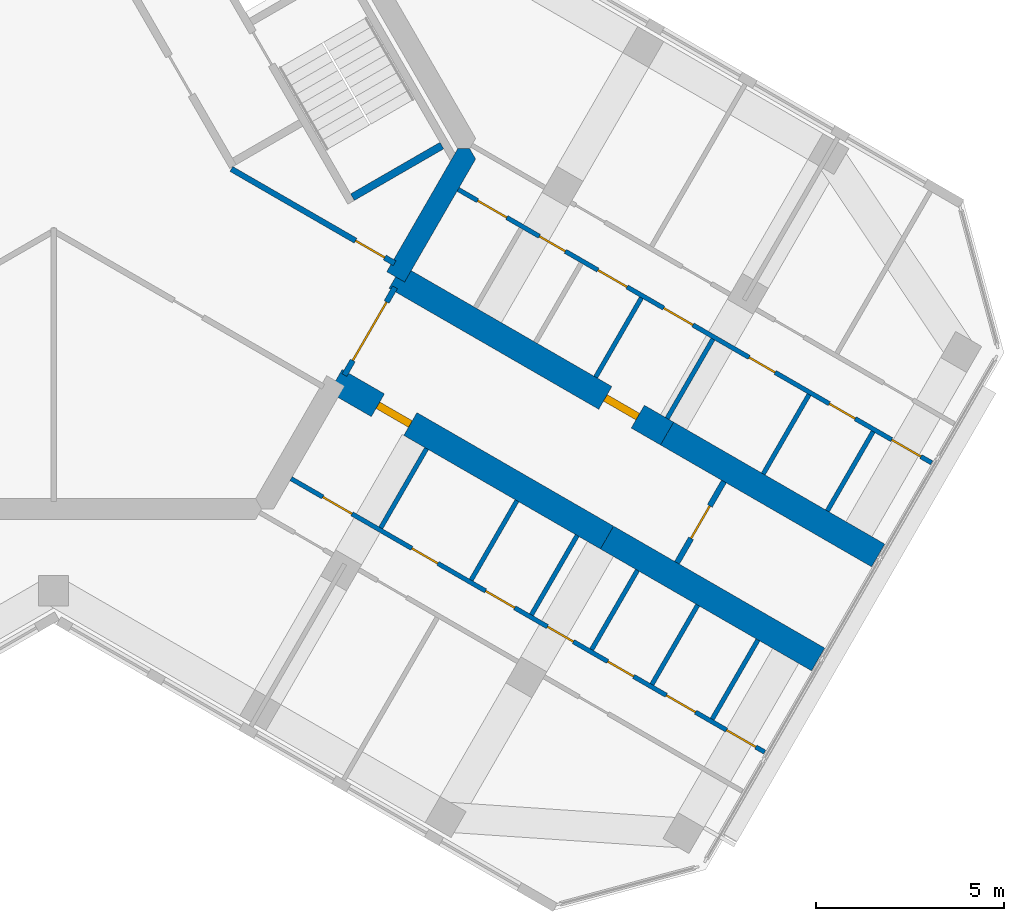
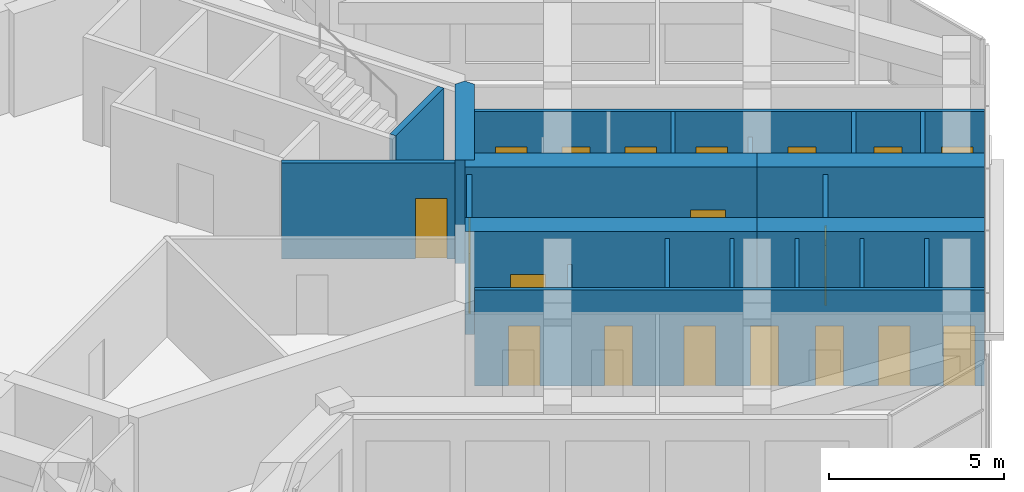
# One storey, part 10 of 14: 21 walls, 19 doors, 19 openings.
"""IFC4 building model written with IfcOpenShell, lengths in metres."""

from ifc_helpers import new_model, si_unit, direction, frame, frame_2d, origin, place, context, subcontext, project, spatial, polyline, rectangle, outline, extrude, material, layer, layer_set, type_object, element, fill, save


model = new_model("IFC4")

# Units and contexts
model_context = context("Model", 3, precision=1e-05, world=origin(), true_north=direction((0.0, 1.0)))
body_context = subcontext(model_context, "Body", "Model", "MODEL_VIEW")
ifc_project = project(units=[si_unit("LENGTHUNIT", "METRE"), si_unit("AREAUNIT", "SQUARE_METRE"), si_unit("VOLUMEUNIT", "CUBIC_METRE"), si_unit("PLANEANGLEUNIT", "RADIAN"), si_unit("MASSUNIT", "GRAM", prefix="KILO")], contexts=[model_context])

# Site, building, storey
site_placement = place(None, origin())
site = spatial("IfcSite", under=ifc_project, at=site_placement, CompositionType="ELEMENT")
building_placement = place(site_placement, origin())
building = spatial("IfcBuilding", under=site, at=building_placement, Name="Kosmar Iwan School Tower", CompositionType="ELEMENT")
storey_placement = place(building_placement, frame((0.0, 0.0, 281.800048828125)))
storey = spatial("IfcBuildingStorey", under=building, at=storey_placement, Name="L71", CompositionType="ELEMENT", Elevation=281.800048828125)

# Wall, opening, door
ifc_material_1 = material(Name="Gypsum board on steel studs, fire-rated", Category="steel")
ifc_layer_1 = layer(ifc_material_1, 0.14990234375)
ifc_layer_set_1 = layer_set([ifc_layer_1], Name="Core room partition 150")
wall_type_1 = type_object("IfcWallType", Name="Core room partition 150", PredefinedType="PARTITIONING", material=ifc_layer_set_1)
wall_1_placement = place(storey_placement, frame((9.08642578125, -3.052001953125, 0.0), z_axis=(0.0, 0.0, 1.0), x_axis=(-0.866027799164, 0.499995851058, 0.0)))
wall_1 = element("IfcWall", 1, at=wall_1_placement, inside=storey, type_object=wall_type_1, Name="Core room partition L71-CW8", PredefinedType="PARTITIONING", context=body_context, shape_type="SweptSolid", body=[
    extrude(rectangle(XDim=5.0244140625, YDim=0.14990234375, at=frame_2d((2.51220703125, 0.0))), origin(), (0.0, 0.0, 1.0), 3.349853515625),
])
opening_1_placement = place(wall_1_placement, frame((0.304931640625, 0.0, 0.0)))
opening_1 = element("IfcOpeningElement", 2, at=opening_1_placement, cuts=wall_1, Name="Opening D14", PredefinedType="OPENING", context=body_context, shape_type="SweptSolid", body=[
    extrude(rectangle(XDim=0.89990234375, YDim=2.10009765625, at=frame_2d((0.449951171875, 1.050048828125))), frame((0.0, 0.0869140625, 0.0), z_axis=(0.0, -1.0, 0.0), x_axis=(1.0, 0.0, 0.0)), (0.0, 0.0, 1.0), 0.173828125),
])
ifc_material_2 = material(Name="Timber fire door in steel frame", Category="steel")
door_type_1 = type_object("IfcDoorType", Name="Core room door 900x2100", OperationType="SINGLE_SWING_LEFT", PredefinedType="DOOR", material=ifc_material_2)
door_1_placement = place(opening_1_placement, origin())
door_1 = element("IfcDoor", 3, at=door_1_placement, inside=storey, type_object=door_type_1, Name="Cleaner's store door L71 5", OperationType="SINGLE_SWING_LEFT", OverallHeight=2.10009765625, OverallWidth=0.89990234375, PredefinedType="DOOR", context=body_context, shape_type="SweptSolid", body=[
    extrude(rectangle(XDim=0.89990234375, YDim=2.10009765625, at=frame_2d((0.449951171875, 1.050048828125))), frame((0.0, 0.02490234375, 0.0), z_axis=(0.0, -1.0, 0.0), x_axis=(1.0, 0.0, 0.0)), (0.0, 0.0, 1.0), 0.050048828125),
])
fill(opening_1, door_1)

# Wall
ifc_material_3 = material(Name="Concrete C50/60", Category="concrete")
ifc_layer_2 = layer(ifc_material_3, 0.550048828125)
ifc_layer_set_2 = layer_set([ifc_layer_2], Name="Core wall 550")
wall_type_2 = type_object("IfcWallType", Name="Core wall 550", PredefinedType="SHEAR", material=ifc_layer_set_2)
wall_2_placement = place(storey_placement, origin())
element("IfcWall", 4, at=wall_2_placement, inside=storey, type_object=wall_type_2, Name="Core wall F330b", PredefinedType="SHEAR", context=body_context, shape_type="SweptSolid", body=[
    extrude(outline(polyline([(9.35205078125, -3.5517578125), (11.243896484375, -0.27490234375), (11.085205078125, 0.0), (10.767578125, 0.0), (8.875732421875, -3.27685546875), (9.35205078125, -3.5517578125)])), origin(), (0.0, 0.0, 1.0), 3.599853515625),
])

# Wall, opening, door
ifc_material_4 = material(Name="Concrete C50/60", Category="concrete")
ifc_layer_3 = layer(ifc_material_4, 0.699951171875)
ifc_layer_set_3 = layer_set([ifc_layer_3], Name="Corridor buttress wall 700")
wall_type_3 = type_object("IfcWallType", Name="Corridor buttress wall 700", PredefinedType="SHEAR", material=ifc_layer_set_3)
wall_3_placement = place(storey_placement, frame((9.11376953125, -3.414306640625, 0.0), z_axis=(0.0, 0.0, 1.0), x_axis=(0.866026859388, -0.499997478812, 0.0)))
wall_3 = element("IfcWall", 5, at=wall_3_placement, inside=storey, type_object=wall_type_3, Name="Corridor wall CL", PredefinedType="SHEAR", context=body_context, shape_type="SweptSolid", body=[
    extrude(rectangle(XDim=8.35009765625, YDim=0.699951171875, at=frame_2d((4.175048828125, 0.0))), origin(), (0.0, 0.0, 1.0), 3.599853515625),
])
opening_2_placement = place(wall_3_placement, frame((6.449951171875, 0.0, 0.0)))
opening_2 = element("IfcOpeningElement", 6, at=opening_2_placement, cuts=wall_3, Name="Opening D1", PredefinedType="OPENING", context=body_context, shape_type="SweptSolid", body=[
    extrude(rectangle(XDim=1.0, YDim=2.10009765625, at=frame_2d((0.5, 1.050048828125))), frame((0.0, 0.362060546875, 0.0), z_axis=(0.0, -1.0, 0.0), x_axis=(1.0, 0.0, 0.0)), (0.0, 0.0, 1.0), 0.723876953125),
])
ifc_material_5 = material(Name="Timber fire door in steel frame", Category="steel")
door_type_2 = type_object("IfcDoorType", Name="Flat entrance door 1000x2100", OperationType="SINGLE_SWING_LEFT", PredefinedType="DOOR", material=ifc_material_5)
door_2_placement = place(opening_2_placement, origin())
door_2 = element("IfcDoor", 7, at=door_2_placement, inside=storey, type_object=door_type_2, Name="Flat L71-CL1 entrance door", OperationType="SINGLE_SWING_LEFT", OverallHeight=2.10009765625, OverallWidth=1.0, PredefinedType="DOOR", context=body_context, shape_type="SweptSolid", body=[
    extrude(rectangle(XDim=1.0, YDim=2.10009765625, at=frame_2d((0.5, 1.050048828125))), frame((0.0, 0.10009765625, 0.0), z_axis=(0.0, -1.0, 0.0), x_axis=(1.0, 0.0, 0.0)), (0.0, 0.0, 1.0), 0.199951171875),
])
fill(opening_2, door_2)

# Wall
wall_4_placement = place(storey_placement, frame((16.34521484375, -7.58935546875, 0.0), z_axis=(0.0, 0.0, 1.0), x_axis=(0.866018451174, -0.500012042081, 0.0)))
element("IfcWall", 8, at=wall_4_placement, inside=storey, type_object=wall_type_3, Name="Corridor wall CL bay 2", PredefinedType="SHEAR", context=body_context, shape_type="SweptSolid", body=[
    extrude(rectangle(XDim=6.494873046875, YDim=0.699951171875, at=frame_2d((3.24755859375, 0.0))), origin(), (0.0, 0.0, 1.0), 3.599853515625),
])

# Wall, opening, door
wall_5_placement = place(storey_placement, frame((7.513916015625, -6.185546875, 0.0), z_axis=(0.0, 0.0, 1.0), x_axis=(0.866019549707, -0.500010139422, 0.0)))
wall_5 = element("IfcWall", 9, at=wall_5_placement, inside=storey, type_object=wall_type_3, Name="Corridor wall CR", PredefinedType="SHEAR", context=body_context, shape_type="SweptSolid", body=[
    extrude(rectangle(XDim=8.349853515625, YDim=0.699951171875, at=frame_2d((4.1748046875, 0.0))), origin(), (0.0, 0.0, 1.0), 3.599853515625),
])
opening_3_placement = place(wall_5_placement, frame((1.300048828125, 0.0, 0.0)))
opening_3 = element("IfcOpeningElement", 10, at=opening_3_placement, cuts=wall_5, Name="Opening D1", PredefinedType="OPENING", context=body_context, shape_type="SweptSolid", body=[
    extrude(rectangle(XDim=1.0, YDim=2.10009765625, at=frame_2d((0.5, 1.050048828125))), frame((0.0, 0.362060546875, 0.0), z_axis=(0.0, -1.0, 0.0), x_axis=(1.0, 0.0, 0.0)), (0.0, 0.0, 1.0), 0.723876953125),
])
door_3_placement = place(opening_3_placement, origin())
door_3 = element("IfcDoor", 11, at=door_3_placement, inside=storey, type_object=door_type_2, Name="Flat L71-CR1 entrance door", OperationType="SINGLE_SWING_LEFT", OverallHeight=2.10009765625, OverallWidth=1.0, PredefinedType="DOOR", context=body_context, shape_type="SweptSolid", body=[
    extrude(rectangle(XDim=1.0, YDim=2.10009765625, at=frame_2d((0.5, 1.050048828125))), frame((0.0, 0.10009765625, 0.0), z_axis=(0.0, -1.0, 0.0), x_axis=(1.0, 0.0, 0.0)), (0.0, 0.0, 1.0), 0.199951171875),
])
fill(opening_3, door_3)

# Wall
wall_6_placement = place(storey_placement, frame((14.7451171875, -10.360595703125, 0.0), z_axis=(0.0, 0.0, 1.0), x_axis=(0.866027848477, -0.499995765644, 0.0)))
element("IfcWall", 12, at=wall_6_placement, inside=storey, type_object=wall_type_3, Name="Corridor wall CR bay 2", PredefinedType="SHEAR", context=body_context, shape_type="SweptSolid", body=[
    extrude(rectangle(XDim=6.4951171875, YDim=0.699951171875, at=frame_2d((3.24755859375, 0.0))), origin(), (0.0, 0.0, 1.0), 3.599853515625),
])

# Wall, opening, door
ifc_material_6 = material(Name="Gypsum board on steel studs, fire-rated", Category="steel")
ifc_layer_4 = layer(ifc_material_6, 0.14990234375)
ifc_layer_set_4 = layer_set([ifc_layer_4], Name="Corridor end wall 150")
wall_type_4 = type_object("IfcWallType", Name="Corridor end wall 150", PredefinedType="PARTITIONING", material=ifc_layer_set_4)
wall_7_placement = place(storey_placement, frame((16.60888671875, -11.032470703125, 0.0), z_axis=(0.0, 0.0, 1.0), x_axis=(0.500004234368, 0.866022959057, 0.0)))
wall_7 = element("IfcWall", 13, at=wall_7_placement, inside=storey, type_object=wall_type_4, Name="Partition L71-C-CE", PredefinedType="PARTITIONING", context=body_context, shape_type="SweptSolid", body=[
    extrude(rectangle(XDim=2.5, YDim=0.14990234375, at=frame_2d((1.25, 0.0))), origin(), (0.0, 0.0, 1.0), 3.349853515625),
])
opening_4_placement = place(wall_7_placement, frame((0.75, 0.0, 0.0)))
opening_4 = element("IfcOpeningElement", 14, at=opening_4_placement, cuts=wall_7, Name="Opening D13", PredefinedType="OPENING", context=body_context, shape_type="SweptSolid", body=[
    extrude(rectangle(XDim=1.0, YDim=2.10009765625, at=frame_2d((0.5, 1.050048828125))), frame((0.0, 0.0869140625, 0.0), z_axis=(0.0, -1.0, 0.0), x_axis=(1.0, 0.0, 0.0)), (0.0, 0.0, 1.0), 0.173828125),
])
ifc_material_7 = material(Name="Timber fire door with vision panel", Category="wood")
door_type_3 = type_object("IfcDoorType", Name="Corridor end door 1000x2100", OperationType="SINGLE_SWING_LEFT", PredefinedType="DOOR", material=ifc_material_7)
door_4_placement = place(opening_4_placement, origin())
door_4 = element("IfcDoor", 15, at=door_4_placement, inside=storey, type_object=door_type_3, Name="Reading room door L71-C", OperationType="SINGLE_SWING_RIGHT", OverallHeight=2.10009765625, OverallWidth=1.0, PredefinedType="DOOR", context=body_context, shape_type="SweptSolid", body=[
    extrude(rectangle(XDim=1.0, YDim=2.10009765625, at=frame_2d((0.5, 1.050048828125))), frame((0.0, 0.02490234375, 0.0), z_axis=(0.0, -1.0, 0.0), x_axis=(1.0, 0.0, 0.0)), (0.0, 0.0, 1.0), 0.050048828125),
])
fill(opening_4, door_4)

ifc_material_8 = material(Name="Steel framed glazed screen", Category="steel")
ifc_layer_5 = layer(ifc_material_8, 0.14990234375)
ifc_layer_set_5 = layer_set([ifc_layer_5], Name="Corridor screen wall 150")
wall_type_5 = type_object("IfcWallType", Name="Corridor screen wall 150", PredefinedType="PARTITIONING", material=ifc_layer_set_5)
wall_8_placement = place(storey_placement, frame((7.7470703125, -6.03173828125, 0.0), z_axis=(0.0, 0.0, 1.0), x_axis=(0.50000943426, 0.866019956843, 0.0)))
wall_8 = element("IfcWall", 16, at=wall_8_placement, inside=storey, type_object=wall_type_5, Name="Corridor screen C L71", PredefinedType="PARTITIONING", context=body_context, shape_type="SweptSolid", body=[
    extrude(rectangle(XDim=2.7001953125, YDim=0.14990234375, at=frame_2d((1.35009765625, 0.0))), origin(), (0.0, 0.0, 1.0), 3.349853515625),
])
opening_5_placement = place(wall_8_placement, frame((0.449951171875, 0.0, 0.0)))
opening_5 = element("IfcOpeningElement", 17, at=opening_5_placement, cuts=wall_8, Name="Opening D9", PredefinedType="OPENING", context=body_context, shape_type="SweptSolid", body=[
    extrude(rectangle(XDim=1.800048828125, YDim=2.10009765625, at=frame_2d((0.89990234375, 1.050048828125))), frame((0.0, 0.0869140625, 0.0), z_axis=(0.0, -1.0, 0.0), x_axis=(1.0, 0.0, 0.0)), (0.0, 0.0, 1.0), 0.173828125),
])
ifc_material_9 = material(Name="Steel framed glazed smoke door", Category="steel")
door_type_4 = type_object("IfcDoorType", Name="Corridor smoke door pair 1800x2100", OperationType="DOUBLE_DOOR_DOUBLE_SWING", PredefinedType="DOOR", material=ifc_material_9)
door_5_placement = place(opening_5_placement, origin())
door_5 = element("IfcDoor", 18, at=door_5_placement, inside=storey, type_object=door_type_4, Name="Corridor doors C L71", OperationType="DOUBLE_DOOR_DOUBLE_SWING", OverallHeight=2.10009765625, OverallWidth=1.800048828125, PredefinedType="DOOR", context=body_context, shape_type="SweptSolid", body=[
    extrude(rectangle(XDim=1.800048828125, YDim=2.10009765625, at=frame_2d((0.89990234375, 1.050048828125))), frame((0.0, 0.02490234375, 0.0), z_axis=(0.0, -1.0, 0.0), x_axis=(1.0, 0.0, 0.0)), (0.0, 0.0, 1.0), 0.050048828125),
])
fill(opening_5, door_5)

# Wall, openings, doors
ifc_material_10 = material(Name="Gypsum board on steel studs", Category="steel")
ifc_layer_6 = layer(ifc_material_10, 0.1201171875)
ifc_layer_set_6 = layer_set([ifc_layer_6], Name="Dwelling partition 120")
wall_type_6 = type_object("IfcWallType", Name="Dwelling partition 120", PredefinedType="PARTITIONING", material=ifc_layer_set_6)
wall_9_placement = place(storey_placement, frame((10.777099609375, -1.083740234375, 0.0), z_axis=(0.0, 0.0, 1.0), x_axis=(0.866026811131, -0.499997562396, 0.0)))
wall_9 = element("IfcWall", 19, at=wall_9_placement, inside=storey, type_object=wall_type_6, Name="Partition L71-CL1-W1", PredefinedType="PARTITIONING", context=body_context, shape_type="SweptSolid", body=[
    extrude(rectangle(XDim=14.56982421875, YDim=0.1201171875, at=frame_2d((7.284912109375, 0.0))), origin(), (0.0, 0.0, 1.0), 3.349853515625),
])
opening_6_placement = place(wall_9_placement, frame((0.60009765625, 0.0, 0.0)))
opening_6 = element("IfcOpeningElement", 20, at=opening_6_placement, cuts=wall_9, Name="Opening D2", PredefinedType="OPENING", context=body_context, shape_type="SweptSolid", body=[
    extrude(rectangle(XDim=0.89990234375, YDim=2.10009765625, at=frame_2d((0.449951171875, 1.050048828125))), frame((0.0, 0.072021484375, 0.0), z_axis=(0.0, -1.0, 0.0), x_axis=(1.0, 0.0, 0.0)), (0.0, 0.0, 1.0), 0.14404296875),
])
opening_7_placement = place(wall_9_placement, frame((2.5, 0.0, 0.0)))
opening_7 = element("IfcOpeningElement", 21, at=opening_7_placement, cuts=wall_9, Name="Opening D3", PredefinedType="OPENING", context=body_context, shape_type="SweptSolid", body=[
    extrude(rectangle(XDim=0.800048828125, YDim=2.10009765625, at=frame_2d((0.39990234375, 1.050048828125))), frame((0.0, 0.072021484375, 0.0), z_axis=(0.0, -1.0, 0.0), x_axis=(1.0, 0.0, 0.0)), (0.0, 0.0, 1.0), 0.14404296875),
])
opening_8_placement = place(wall_9_placement, frame((4.300048828125, 0.0, 0.0)))
opening_8 = element("IfcOpeningElement", 22, at=opening_8_placement, cuts=wall_9, Name="Opening D2", PredefinedType="OPENING", context=body_context, shape_type="SweptSolid", body=[
    extrude(rectangle(XDim=0.89990234375, YDim=2.10009765625, at=frame_2d((0.449951171875, 1.050048828125))), frame((0.0, 0.072021484375, 0.0), z_axis=(0.0, -1.0, 0.0), x_axis=(1.0, 0.0, 0.0)), (0.0, 0.0, 1.0), 0.14404296875),
])
opening_9_placement = place(wall_9_placement, frame((6.324951171875, 0.0, 0.0)))
opening_9 = element("IfcOpeningElement", 23, at=opening_9_placement, cuts=wall_9, Name="Opening D2", PredefinedType="OPENING", context=body_context, shape_type="SweptSolid", body=[
    extrude(rectangle(XDim=0.89990234375, YDim=2.10009765625, at=frame_2d((0.449951171875, 1.050048828125))), frame((0.0, 0.072021484375, 0.0), z_axis=(0.0, -1.0, 0.0), x_axis=(1.0, 0.0, 0.0)), (0.0, 0.0, 1.0), 0.14404296875),
])
opening_10_placement = place(wall_9_placement, frame((8.95361328125, 0.0, 0.0)))
opening_10 = element("IfcOpeningElement", 24, at=opening_10_placement, cuts=wall_9, Name="Opening D3", PredefinedType="OPENING", context=body_context, shape_type="SweptSolid", body=[
    extrude(rectangle(XDim=0.800048828125, YDim=2.10009765625, at=frame_2d((0.39990234375, 1.050048828125))), frame((0.0, 0.072021484375, 0.0), z_axis=(0.0, -1.0, 0.0), x_axis=(1.0, 0.0, 0.0)), (0.0, 0.0, 1.0), 0.14404296875),
])
opening_11_placement = place(wall_9_placement, frame((11.41796875, 0.0, 0.0)))
opening_11 = element("IfcOpeningElement", 25, at=opening_11_placement, cuts=wall_9, Name="Opening D3", PredefinedType="OPENING", context=body_context, shape_type="SweptSolid", body=[
    extrude(rectangle(XDim=0.800048828125, YDim=2.10009765625, at=frame_2d((0.39990234375, 1.050048828125))), frame((0.0, 0.072021484375, 0.0), z_axis=(0.0, -1.0, 0.0), x_axis=(1.0, 0.0, 0.0)), (0.0, 0.0, 1.0), 0.14404296875),
])
opening_12_placement = place(wall_9_placement, frame((13.33935546875, 0.0, 0.0)))
opening_12 = element("IfcOpeningElement", 26, at=opening_12_placement, cuts=wall_9, Name="Opening D2", PredefinedType="OPENING", context=body_context, shape_type="SweptSolid", body=[
    extrude(rectangle(XDim=0.89990234375, YDim=2.10009765625, at=frame_2d((0.449951171875, 1.050048828125))), frame((0.0, 0.072021484375, 0.0), z_axis=(0.0, -1.0, 0.0), x_axis=(1.0, 0.0, 0.0)), (0.0, 0.0, 1.0), 0.14404296875),
])
ifc_material_11 = material(Name="Timber door in timber frame", Category="wood")
door_type_5 = type_object("IfcDoorType", Name="Internal door 900x2100", OperationType="SINGLE_SWING_LEFT", PredefinedType="DOOR", material=ifc_material_11)
door_6_placement = place(opening_6_placement, origin())
door_6 = element("IfcDoor", 27, at=door_6_placement, inside=storey, type_object=door_type_5, Name="Dressing room door L71-CL1-S1", OperationType="SINGLE_SWING_LEFT", OverallHeight=2.10009765625, OverallWidth=0.89990234375, PredefinedType="DOOR", context=body_context, shape_type="SweptSolid", body=[
    extrude(rectangle(XDim=0.89990234375, YDim=2.10009765625, at=frame_2d((0.449951171875, 1.050048828125))), frame((0.0, 0.02490234375, 0.0), z_axis=(0.0, -1.0, 0.0), x_axis=(1.0, 0.0, 0.0)), (0.0, 0.0, 1.0), 0.050048828125),
])
fill(opening_6, door_6)
door_7_placement = place(opening_8_placement, origin())
door_7 = element("IfcDoor", 28, at=door_7_placement, inside=storey, type_object=door_type_5, Name="Pantry door L71-CL1-S3", OperationType="SINGLE_SWING_LEFT", OverallHeight=2.10009765625, OverallWidth=0.89990234375, PredefinedType="DOOR", context=body_context, shape_type="SweptSolid", body=[
    extrude(rectangle(XDim=0.89990234375, YDim=2.10009765625, at=frame_2d((0.449951171875, 1.050048828125))), frame((0.0, 0.02490234375, 0.0), z_axis=(0.0, -1.0, 0.0), x_axis=(1.0, 0.0, 0.0)), (0.0, 0.0, 1.0), 0.050048828125),
])
fill(opening_8, door_7)
door_8_placement = place(opening_9_placement, origin())
door_8 = element("IfcDoor", 29, at=door_8_placement, inside=storey, type_object=door_type_5, Name="Entrance hall door L71-CL1-S4", OperationType="SINGLE_SWING_LEFT", OverallHeight=2.10009765625, OverallWidth=0.89990234375, PredefinedType="DOOR", context=body_context, shape_type="SweptSolid", body=[
    extrude(rectangle(XDim=0.89990234375, YDim=2.10009765625, at=frame_2d((0.449951171875, 1.050048828125))), frame((0.0, 0.02490234375, 0.0), z_axis=(0.0, -1.0, 0.0), x_axis=(1.0, 0.0, 0.0)), (0.0, 0.0, 1.0), 0.050048828125),
])
fill(opening_9, door_8)
door_9_placement = place(opening_12_placement, origin())
door_9 = element("IfcDoor", 30, at=door_9_placement, inside=storey, type_object=door_type_5, Name="Utility room door L71-CL1-S7", OperationType="SINGLE_SWING_RIGHT", OverallHeight=2.10009765625, OverallWidth=0.89990234375, PredefinedType="DOOR", context=body_context, shape_type="SweptSolid", body=[
    extrude(rectangle(XDim=0.89990234375, YDim=2.10009765625, at=frame_2d((0.449951171875, 1.050048828125))), frame((0.0, 0.02490234375, 0.0), z_axis=(0.0, -1.0, 0.0), x_axis=(1.0, 0.0, 0.0)), (0.0, 0.0, 1.0), 0.050048828125),
])
fill(opening_12, door_9)
ifc_material_12 = material(Name="Timber door in timber frame", Category="wood")
door_type_6 = type_object("IfcDoorType", Name="Sanitary room door 800x2100", OperationType="SINGLE_SWING_LEFT", PredefinedType="DOOR", material=ifc_material_12)
door_10_placement = place(opening_7_placement, origin())
door_10 = element("IfcDoor", 31, at=door_10_placement, inside=storey, type_object=door_type_6, Name="Store door L71-CL1-S2", OperationType="SINGLE_SWING_LEFT", OverallHeight=2.10009765625, OverallWidth=0.800048828125, PredefinedType="DOOR", context=body_context, shape_type="SweptSolid", body=[
    extrude(rectangle(XDim=0.800048828125, YDim=2.10009765625, at=frame_2d((0.39990234375, 1.050048828125))), frame((0.0, 0.02490234375, 0.0), z_axis=(0.0, -1.0, 0.0), x_axis=(1.0, 0.0, 0.0)), (0.0, 0.0, 1.0), 0.050048828125),
])
fill(opening_7, door_10)
door_11_placement = place(opening_10_placement, origin())
door_11 = element("IfcDoor", 32, at=door_11_placement, inside=storey, type_object=door_type_6, Name="Bathroom door L71-CL1-S5", OperationType="SINGLE_SWING_RIGHT", OverallHeight=2.10009765625, OverallWidth=0.800048828125, PredefinedType="DOOR", context=body_context, shape_type="SweptSolid", body=[
    extrude(rectangle(XDim=0.800048828125, YDim=2.10009765625, at=frame_2d((0.39990234375, 1.050048828125))), frame((0.0, 0.02490234375, 0.0), z_axis=(0.0, -1.0, 0.0), x_axis=(1.0, 0.0, 0.0)), (0.0, 0.0, 1.0), 0.050048828125),
])
fill(opening_10, door_11)
door_12_placement = place(opening_11_placement, origin())
door_12 = element("IfcDoor", 33, at=door_12_placement, inside=storey, type_object=door_type_6, Name="WC door L71-CL1-S6", OperationType="SINGLE_SWING_RIGHT", OverallHeight=2.10009765625, OverallWidth=0.800048828125, PredefinedType="DOOR", context=body_context, shape_type="SweptSolid", body=[
    extrude(rectangle(XDim=0.800048828125, YDim=2.10009765625, at=frame_2d((0.39990234375, 1.050048828125))), frame((0.0, 0.02490234375, 0.0), z_axis=(0.0, -1.0, 0.0), x_axis=(1.0, 0.0, 0.0)), (0.0, 0.0, 1.0), 0.050048828125),
])
fill(opening_11, door_12)

# Walls
wall_10_placement = place(storey_placement, frame((14.441650390625, -6.086181640625, 0.0), z_axis=(0.0, 0.0, 1.0), x_axis=(0.500002508028, 0.866023955769, 0.0)))
element("IfcWall", 34, at=wall_10_placement, inside=storey, type_object=wall_type_6, Name="Partition L71-CL1-Y3", PredefinedType="PARTITIONING", context=body_context, shape_type="SweptSolid", body=[
    extrude(rectangle(XDim=2.43994140625, YDim=0.1201171875, at=frame_2d((1.219970703125, 0.0))), origin(), (0.0, 0.0, 1.0), 3.349853515625),
])
wall_11_placement = place(storey_placement, frame((16.346923828125, -7.186279296875, 0.0), z_axis=(0.0, 0.0, 1.0), x_axis=(0.500002508028, 0.866023955769, 0.0)))
element("IfcWall", 35, at=wall_11_placement, inside=storey, type_object=wall_type_6, Name="Partition L71-CL1-Y4", PredefinedType="PARTITIONING", context=body_context, shape_type="SweptSolid", body=[
    extrude(rectangle(XDim=2.43994140625, YDim=0.1201171875, at=frame_2d((1.219970703125, 0.0))), origin(), (0.0, 0.0, 1.0), 2.449951171875),
])
wall_12_placement = place(storey_placement, frame((18.907958984375, -8.664794921875, 0.0), z_axis=(0.0, 0.0, 1.0), x_axis=(0.500002508028, 0.866023955769, 0.0)))
element("IfcWall", 36, at=wall_12_placement, inside=storey, type_object=wall_type_6, Name="Partition L71-CL1-Y5", PredefinedType="PARTITIONING", context=body_context, shape_type="SweptSolid", body=[
    extrude(rectangle(XDim=2.43994140625, YDim=0.1201171875, at=frame_2d((1.219970703125, 0.0))), origin(), (0.0, 0.0, 1.0), 3.349853515625),
])
wall_13_placement = place(storey_placement, frame((20.615234375, -9.650634765625, 0.0), z_axis=(0.0, 0.0, 1.0), x_axis=(0.499959183527, 0.866048967903, 0.0)))
element("IfcWall", 37, at=wall_13_placement, inside=storey, type_object=wall_type_6, Name="Partition L71-CL1-Y6", PredefinedType="PARTITIONING", context=body_context, shape_type="SweptSolid", body=[
    extrude(rectangle(XDim=2.440185546875, YDim=0.1201171875, at=frame_2d((1.22021484375, 0.0))), origin(), (0.0, 0.0, 1.0), 3.349853515625),
])

# Wall, openings, doors
wall_14_placement = place(storey_placement, frame((6.326904296875, -8.791259765625, 0.0), z_axis=(0.0, 0.0, 1.0), x_axis=(0.866023744513, -0.500002873931, 0.0)))
wall_14 = element("IfcWall", 38, at=wall_14_placement, inside=storey, type_object=wall_type_6, Name="Partition L71-CR1-W1", PredefinedType="PARTITIONING", context=body_context, shape_type="SweptSolid", body=[
    extrude(rectangle(XDim=14.5703125, YDim=0.1201171875, at=frame_2d((7.28515625, 0.0))), origin(), (0.0, 0.0, 1.0), 3.349853515625),
])
opening_13_placement = place(wall_14_placement, frame((0.97509765625, 0.0, 0.0)))
opening_13 = element("IfcOpeningElement", 39, at=opening_13_placement, cuts=wall_14, Name="Opening D2", PredefinedType="OPENING", context=body_context, shape_type="SweptSolid", body=[
    extrude(rectangle(XDim=0.89990234375, YDim=2.10009765625, at=frame_2d((0.449951171875, 1.050048828125))), frame((0.0, 0.072021484375, 0.0), z_axis=(0.0, -1.0, 0.0), x_axis=(1.0, 0.0, 0.0)), (0.0, 0.0, 1.0), 0.14404296875),
])
opening_14_placement = place(wall_14_placement, frame((3.71533203125, 0.0, 0.0)))
opening_14 = element("IfcOpeningElement", 40, at=opening_14_placement, cuts=wall_14, Name="Opening D3", PredefinedType="OPENING", context=body_context, shape_type="SweptSolid", body=[
    extrude(rectangle(XDim=0.800048828125, YDim=2.10009765625, at=frame_2d((0.39990234375, 1.050048828125))), frame((0.0, 0.072021484375, 0.0), z_axis=(0.0, -1.0, 0.0), x_axis=(1.0, 0.0, 0.0)), (0.0, 0.0, 1.0), 0.14404296875),
])
opening_15_placement = place(wall_14_placement, frame((5.982666015625, 0.0, 0.0)))
opening_15 = element("IfcOpeningElement", 41, at=opening_15_placement, cuts=wall_14, Name="Opening D2", PredefinedType="OPENING", context=body_context, shape_type="SweptSolid", body=[
    extrude(rectangle(XDim=0.89990234375, YDim=2.10009765625, at=frame_2d((0.449951171875, 1.050048828125))), frame((0.0, 0.072021484375, 0.0), z_axis=(0.0, -1.0, 0.0), x_axis=(1.0, 0.0, 0.0)), (0.0, 0.0, 1.0), 0.14404296875),
])
opening_16_placement = place(wall_14_placement, frame((7.886474609375, 0.0, 0.0)))
opening_16 = element("IfcOpeningElement", 42, at=opening_16_placement, cuts=wall_14, Name="Opening D3", PredefinedType="OPENING", context=body_context, shape_type="SweptSolid", body=[
    extrude(rectangle(XDim=0.800048828125, YDim=2.10009765625, at=frame_2d((0.39990234375, 1.050048828125))), frame((0.0, 0.072021484375, 0.0), z_axis=(0.0, -1.0, 0.0), x_axis=(1.0, 0.0, 0.0)), (0.0, 0.0, 1.0), 0.14404296875),
])
opening_17_placement = place(wall_14_placement, frame((9.740478515625, 0.0, 0.0)))
opening_17 = element("IfcOpeningElement", 43, at=opening_17_placement, cuts=wall_14, Name="Opening D3", PredefinedType="OPENING", context=body_context, shape_type="SweptSolid", body=[
    extrude(rectangle(XDim=0.800048828125, YDim=2.10009765625, at=frame_2d((0.39990234375, 1.050048828125))), frame((0.0, 0.072021484375, 0.0), z_axis=(0.0, -1.0, 0.0), x_axis=(1.0, 0.0, 0.0)), (0.0, 0.0, 1.0), 0.14404296875),
])
opening_18_placement = place(wall_14_placement, frame((11.544189453125, 0.0, 0.0)))
opening_18 = element("IfcOpeningElement", 44, at=opening_18_placement, cuts=wall_14, Name="Opening D2", PredefinedType="OPENING", context=body_context, shape_type="SweptSolid", body=[
    extrude(rectangle(XDim=0.89990234375, YDim=2.10009765625, at=frame_2d((0.449951171875, 1.050048828125))), frame((0.0, 0.072021484375, 0.0), z_axis=(0.0, -1.0, 0.0), x_axis=(1.0, 0.0, 0.0)), (0.0, 0.0, 1.0), 0.14404296875),
])
opening_19_placement = place(wall_14_placement, frame((13.398193359375, 0.0, 0.0)))
opening_19 = element("IfcOpeningElement", 45, at=opening_19_placement, cuts=wall_14, Name="Opening D2", PredefinedType="OPENING", context=body_context, shape_type="SweptSolid", body=[
    extrude(rectangle(XDim=0.89990234375, YDim=2.10009765625, at=frame_2d((0.449951171875, 1.050048828125))), frame((0.0, 0.072021484375, 0.0), z_axis=(0.0, -1.0, 0.0), x_axis=(1.0, 0.0, 0.0)), (0.0, 0.0, 1.0), 0.14404296875),
])
door_13_placement = place(opening_13_placement, origin())
door_13 = element("IfcDoor", 46, at=door_13_placement, inside=storey, type_object=door_type_5, Name="Entrance hall door L71-CR1-S1", OperationType="SINGLE_SWING_LEFT", OverallHeight=2.10009765625, OverallWidth=0.89990234375, PredefinedType="DOOR", context=body_context, shape_type="SweptSolid", body=[
    extrude(rectangle(XDim=0.89990234375, YDim=2.10009765625, at=frame_2d((0.449951171875, 1.050048828125))), frame((0.0, 0.02490234375, 0.0), z_axis=(0.0, -1.0, 0.0), x_axis=(1.0, 0.0, 0.0)), (0.0, 0.0, 1.0), 0.050048828125),
])
fill(opening_13, door_13)
door_14_placement = place(opening_15_placement, origin())
door_14 = element("IfcDoor", 47, at=door_14_placement, inside=storey, type_object=door_type_5, Name="Pantry door L71-CR1-S3", OperationType="SINGLE_SWING_LEFT", OverallHeight=2.10009765625, OverallWidth=0.89990234375, PredefinedType="DOOR", context=body_context, shape_type="SweptSolid", body=[
    extrude(rectangle(XDim=0.89990234375, YDim=2.10009765625, at=frame_2d((0.449951171875, 1.050048828125))), frame((0.0, 0.02490234375, 0.0), z_axis=(0.0, -1.0, 0.0), x_axis=(1.0, 0.0, 0.0)), (0.0, 0.0, 1.0), 0.050048828125),
])
fill(opening_15, door_14)
door_15_placement = place(opening_18_placement, origin())
door_15 = element("IfcDoor", 48, at=door_15_placement, inside=storey, type_object=door_type_5, Name="Utility room door L71-CR1-S6", OperationType="SINGLE_SWING_RIGHT", OverallHeight=2.10009765625, OverallWidth=0.89990234375, PredefinedType="DOOR", context=body_context, shape_type="SweptSolid", body=[
    extrude(rectangle(XDim=0.89990234375, YDim=2.10009765625, at=frame_2d((0.449951171875, 1.050048828125))), frame((0.0, 0.02490234375, 0.0), z_axis=(0.0, -1.0, 0.0), x_axis=(1.0, 0.0, 0.0)), (0.0, 0.0, 1.0), 0.050048828125),
])
fill(opening_18, door_15)
door_16_placement = place(opening_19_placement, origin())
door_16 = element("IfcDoor", 49, at=door_16_placement, inside=storey, type_object=door_type_5, Name="Dressing room door L71-CR1-S7", OperationType="SINGLE_SWING_RIGHT", OverallHeight=2.10009765625, OverallWidth=0.89990234375, PredefinedType="DOOR", context=body_context, shape_type="SweptSolid", body=[
    extrude(rectangle(XDim=0.89990234375, YDim=2.10009765625, at=frame_2d((0.449951171875, 1.050048828125))), frame((0.0, 0.02490234375, 0.0), z_axis=(0.0, -1.0, 0.0), x_axis=(1.0, 0.0, 0.0)), (0.0, 0.0, 1.0), 0.050048828125),
])
fill(opening_19, door_16)
door_17_placement = place(opening_14_placement, origin())
door_17 = element("IfcDoor", 50, at=door_17_placement, inside=storey, type_object=door_type_6, Name="Bathroom door L71-CR1-S2", OperationType="SINGLE_SWING_RIGHT", OverallHeight=2.10009765625, OverallWidth=0.800048828125, PredefinedType="DOOR", context=body_context, shape_type="SweptSolid", body=[
    extrude(rectangle(XDim=0.800048828125, YDim=2.10009765625, at=frame_2d((0.39990234375, 1.050048828125))), frame((0.0, 0.02490234375, 0.0), z_axis=(0.0, -1.0, 0.0), x_axis=(1.0, 0.0, 0.0)), (0.0, 0.0, 1.0), 0.050048828125),
])
fill(opening_14, door_17)
door_18_placement = place(opening_16_placement, origin())
door_18 = element("IfcDoor", 51, at=door_18_placement, inside=storey, type_object=door_type_6, Name="WC door L71-CR1-S4", OperationType="SINGLE_SWING_RIGHT", OverallHeight=2.10009765625, OverallWidth=0.800048828125, PredefinedType="DOOR", context=body_context, shape_type="SweptSolid", body=[
    extrude(rectangle(XDim=0.800048828125, YDim=2.10009765625, at=frame_2d((0.39990234375, 1.050048828125))), frame((0.0, 0.02490234375, 0.0), z_axis=(0.0, -1.0, 0.0), x_axis=(1.0, 0.0, 0.0)), (0.0, 0.0, 1.0), 0.050048828125),
])
fill(opening_16, door_18)
door_19_placement = place(opening_17_placement, origin())
door_19 = element("IfcDoor", 52, at=door_19_placement, inside=storey, type_object=door_type_6, Name="Store door L71-CR1-S5", OperationType="SINGLE_SWING_LEFT", OverallHeight=2.10009765625, OverallWidth=0.800048828125, PredefinedType="DOOR", context=body_context, shape_type="SweptSolid", body=[
    extrude(rectangle(XDim=0.800048828125, YDim=2.10009765625, at=frame_2d((0.39990234375, 1.050048828125))), frame((0.0, 0.02490234375, 0.0), z_axis=(0.0, -1.0, 0.0), x_axis=(1.0, 0.0, 0.0)), (0.0, 0.0, 1.0), 0.050048828125),
])
fill(opening_17, door_19)

# Walls
wall_15_placement = place(storey_placement, frame((9.93701171875, -7.98876953125, 0.0), z_axis=(0.0, 0.0, 1.0), x_axis=(-0.500077547548, -0.865980627057, 0.0)))
element("IfcWall", 53, at=wall_15_placement, inside=storey, type_object=wall_type_6, Name="Partition L71-CR1-Y1", PredefinedType="PARTITIONING", context=body_context, shape_type="SweptSolid", body=[
    extrude(rectangle(XDim=2.43994140625, YDim=0.1201171875, at=frame_2d((1.219970703125, 0.0))), origin(), (0.0, 0.0, 1.0), 2.449951171875),
])
for number, where, z_axis, x_axis, name in (
    (54, (12.34521484375, -9.379150390625, 0.0), (0.0, 0.0, 1.0), (-0.500002508028, -0.866023955769, 0.0), "Partition L71-CR1-Y2"),
    (55, (13.95068359375, -10.30615234375, 0.0), (0.0, 0.0, 1.0), (-0.500002508028, -0.866023955769, 0.0), "Partition L71-CR1-Y3"),
):
    element("IfcWall", number, at=place(storey_placement, frame(where, z_axis=z_axis, x_axis=x_axis)), inside=storey, type_object=wall_type_6, Name=name, PredefinedType="PARTITIONING", context=body_context, shape_type="SweptSolid", body=[
        extrude(rectangle(XDim=2.43994140625, YDim=0.1201171875, at=frame_2d((1.219970703125, 0.0))), origin(), (0.0, 0.0, 1.0), 3.349853515625),
    ])
wall_16_placement = place(storey_placement, frame((15.55615234375, -11.23291015625, 0.0), z_axis=(0.0, 0.0, 1.0), x_axis=(-0.499959183527, -0.866048967903, 0.0)))
element("IfcWall", 56, at=wall_16_placement, inside=storey, type_object=wall_type_6, Name="Partition L71-CR1-Y4", PredefinedType="PARTITIONING", context=body_context, shape_type="SweptSolid", body=[
    extrude(rectangle(XDim=2.440185546875, YDim=0.1201171875, at=frame_2d((1.22021484375, 0.0))), origin(), (0.0, 0.0, 1.0), 3.349853515625),
])
for number, where, z_axis, x_axis, name in (
    (57, (17.16162109375, -12.159912109375, 0.0), (0.0, 0.0, 1.0), (-0.500002508028, -0.866023955769, 0.0), "Partition L71-CR1-Y5"),
    (58, (18.76708984375, -13.0869140625, 0.0), (0.0, 0.0, 1.0), (-0.500002508028, -0.866023955769, 0.0), "Partition L71-CR1-Y6"),
):
    element("IfcWall", number, at=place(storey_placement, frame(where, z_axis=z_axis, x_axis=x_axis)), inside=storey, type_object=wall_type_6, Name=name, PredefinedType="PARTITIONING", context=body_context, shape_type="SweptSolid", body=[
        extrude(rectangle(XDim=2.43994140625, YDim=0.1201171875, at=frame_2d((1.219970703125, 0.0))), origin(), (0.0, 0.0, 1.0), 3.349853515625),
    ])
ifc_material_13 = material(Name="Concrete C50/60", Category="concrete")
ifc_layer_7 = layer(ifc_material_13, 0.199951171875)
ifc_layer_set_7 = layer_set([ifc_layer_7], Name="Stair enclosure wall 200")
wall_type_7 = type_object("IfcWallType", Name="Stair enclosure wall 200", PredefinedType="SHEAR", material=ifc_layer_set_7)
wall_17_placement = place(storey_placement, frame((7.962646484375, -1.291748046875, 0.0), z_axis=(0.0, 0.0, 1.0), x_axis=(0.866027397988, 0.499996545922, 0.0)))
element("IfcWall", 59, at=wall_17_placement, inside=storey, type_object=wall_type_7, Name="Stair ST1 wall", PredefinedType="SHEAR", context=body_context, shape_type="SweptSolid", body=[
    extrude(rectangle(XDim=2.75, YDim=0.199951171875, at=frame_2d((1.375, 0.0))), origin(), (0.0, 0.0, 1.0), 3.599853515625),
])

save(model, "model.ifc")
